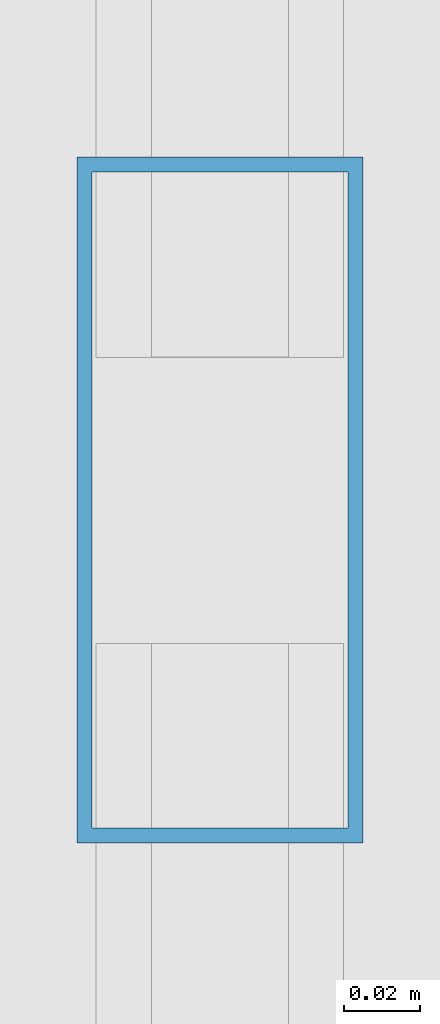
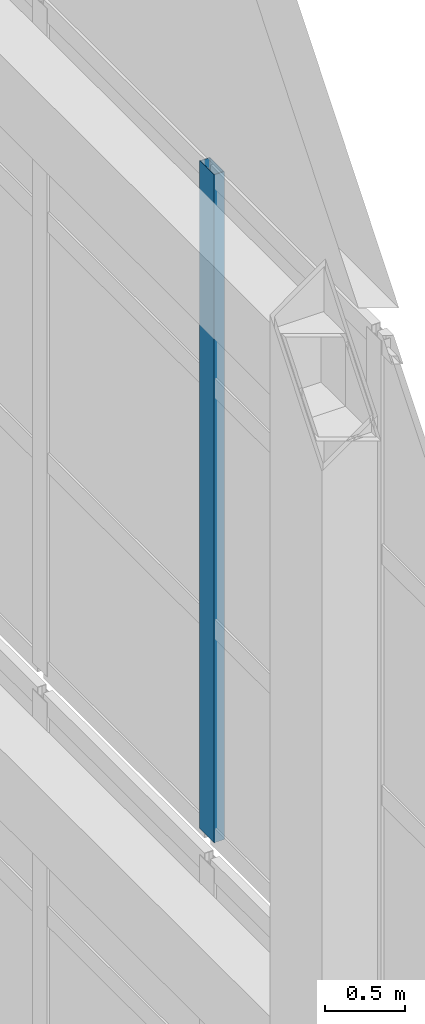
# One storey, part 36 of 47: 1 member, 1 element without a shape of its own.
"""IFC4 building model written with IfcOpenShell, lengths in metres."""

from ifc_helpers import new_model, si_unit, direction, frame, origin, origin_2d, place, context, subcontext, project, spatial, hollow_rectangle, extrude, material, layer, layer_set, material_profile, profile_set, type_object, element, aggregate, save


model = new_model("IFC4")

# Units and contexts
model_context = context("Model", 3, precision=1e-05, world=origin(), true_north=direction((0.0, 1.0)))
body_context = subcontext(model_context, "Body", "Model", "MODEL_VIEW")
ifc_project = project(units=[si_unit("LENGTHUNIT", "METRE"), si_unit("AREAUNIT", "SQUARE_METRE"), si_unit("VOLUMEUNIT", "CUBIC_METRE"), si_unit("PLANEANGLEUNIT", "RADIAN"), si_unit("MASSUNIT", "GRAM", prefix="KILO")], contexts=[model_context])

# Site, building, storey
site_placement = place(None, origin())
site = spatial("IfcSite", under=ifc_project, at=site_placement, CompositionType="ELEMENT")
building_placement = place(site_placement, origin())
building = spatial("IfcBuilding", under=site, at=building_placement, Name="Qiaolan Cultural Towers", CompositionType="ELEMENT")
storey_placement = place(building_placement, frame((0.0, 0.0, 280.199951171875)))
storey = spatial("IfcBuildingStorey", under=building, at=storey_placement, Name="RF", CompositionType="ELEMENT", Elevation=280.199951171875)

# Curtain wall, member
ifc_material_1 = material(Name="Unitized Anodized Aluminium Curtain Wall System", Category="aluminium")
ifc_layer = layer(ifc_material_1, 0.199951171875)
ifc_layer_set = layer_set([ifc_layer], Name="Unitized Anodized Aluminium Curtain Wall System")
curtain_wall_type = type_object("IfcCurtainWallType", Name="CWS-06", PredefinedType="NOTDEFINED", material=ifc_layer_set)
curtain_wall_placement = place(storey_placement, origin())
curtain_wall = element("IfcCurtainWall", 1, at=curtain_wall_placement, inside=storey, type_object=curtain_wall_type, Name="T1 Crown Tier 5 Fritted Screen Curtain Wall 3", PredefinedType="NOTDEFINED")
ifc_material_2 = material(Name="Extruded Aluminium 6063-T6", Category="aluminium")
ifc_material_profile = material_profile(ifc_material_2, hollow_rectangle(XDim=0.074951171875, YDim=0.179931640625, WallThickness=0.00390625, at=origin_2d()), Name="CWM-180x75x4")
ifc_profile_set = profile_set([ifc_material_profile], Name="Extruded Aluminium 6063-T6")
member_type = type_object("IfcMemberType", Name="CWS-06-MUL", PredefinedType="MULLION", material=ifc_profile_set)
member_placement = place(storey_placement, frame((45.050048828125, 36.090087890625, 21.300048828125), z_axis=(0.0, 0.0, 1.0), x_axis=(-1.0, 0.0, 0.0)))
member = element("IfcMember", 2, at=member_placement, type_object=member_type, Name="CW-6 mullion 5", PredefinedType="MULLION", context=body_context, shape_type="SweptSolid", body=[
    extrude(hollow_rectangle(XDim=0.074951171875, YDim=0.179931640625, WallThickness=0.00390625, at=origin_2d()), origin(), (0.0, 0.0, 1.0), 5.10009765625),
])
aggregate(curtain_wall, [member])

save(model, "model.ifc")
